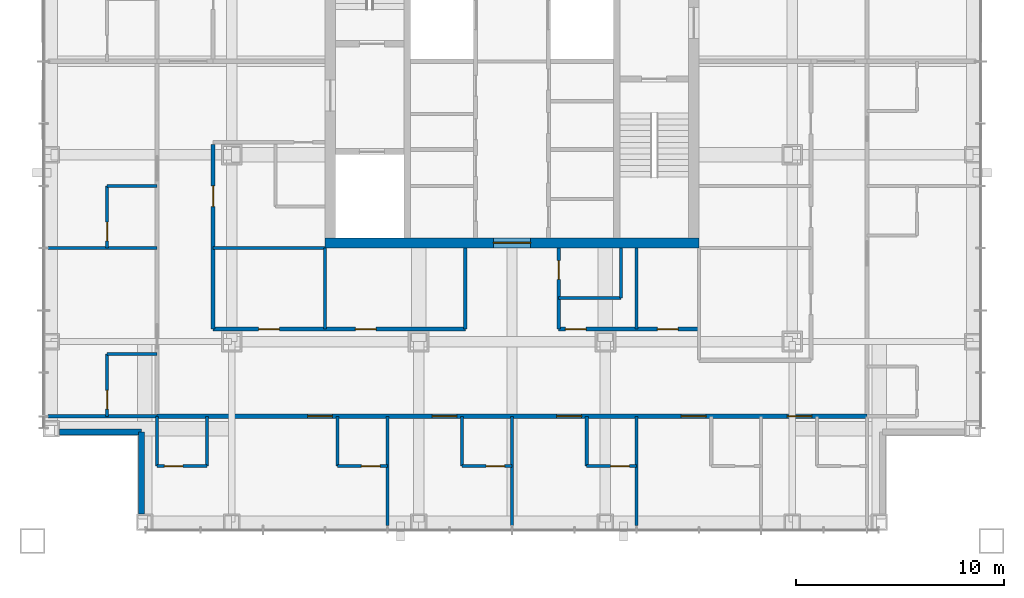
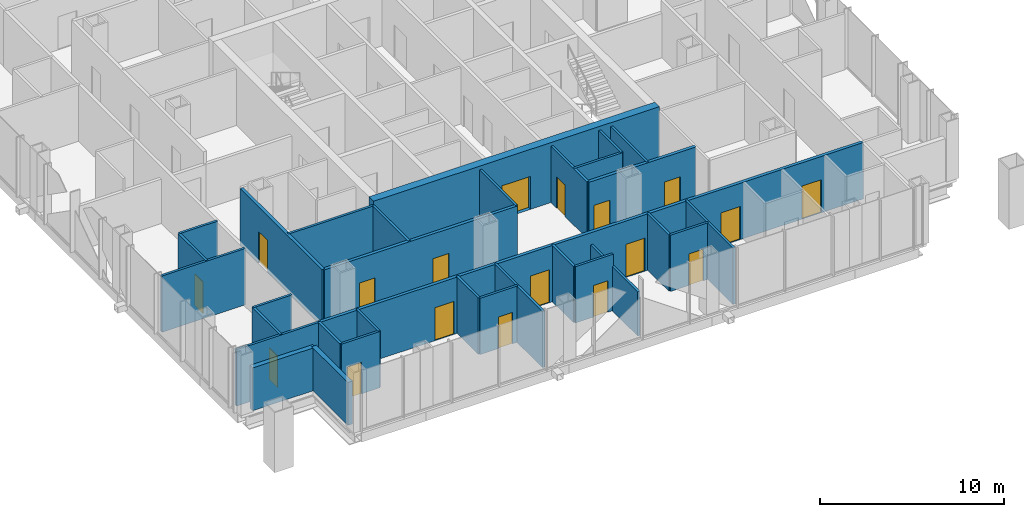
# One storey, part 12 of 17: 32 walls, 18 doors, 18 openings.
"""IFC4 building model written with IfcOpenShell, lengths in metres."""

from ifc_helpers import new_model, si_unit, direction, frame, frame_2d, origin, place, context, subcontext, project, spatial, rectangle, extrude, material, layer, layer_set, type_object, element, fill, save


model = new_model("IFC4")

# Units and contexts
model_context = context("Model", 3, precision=1e-05, world=origin(), true_north=direction((0.0, 1.0)))
body_context = subcontext(model_context, "Body", "Model", "MODEL_VIEW")
ifc_project = project(units=[si_unit("LENGTHUNIT", "METRE"), si_unit("AREAUNIT", "SQUARE_METRE"), si_unit("VOLUMEUNIT", "CUBIC_METRE"), si_unit("PLANEANGLEUNIT", "RADIAN"), si_unit("MASSUNIT", "GRAM", prefix="KILO")], contexts=[model_context])

# Site, building, storey
site_placement = place(None, origin())
site = spatial("IfcSite", under=ifc_project, at=site_placement, CompositionType="ELEMENT")
building_placement = place(site_placement, origin())
building = spatial("IfcBuilding", under=site, at=building_placement, Name="Malebo Sky Hospital", CompositionType="ELEMENT")
storey_placement = place(building_placement, frame((0.0, 0.0, 189.0)))
storey = spatial("IfcBuildingStorey", under=building, at=storey_placement, Name="L45", CompositionType="ELEMENT", Elevation=189.0)

# Wall, opening, door
ifc_material_1 = material(Name="Concrete C80/95", Category="concrete")
ifc_layer_1 = layer(ifc_material_1, 0.5)
ifc_layer_set_1 = layer_set([ifc_layer_1], Name="CORE WALL 500")
wall_type_1 = type_object("IfcWallType", Name="CORE WALL 500", PredefinedType="SHEAR", material=ifc_layer_set_1)
wall_1_placement = place(storey_placement, frame((51.0, 53.25, 0.0), z_axis=(0.0, 0.0, 1.0), x_axis=(1.0, 0.0, 0.0)))
wall_1 = element("IfcWall", 1, at=wall_1_placement, inside=storey, type_object=wall_type_1, Name="Core wall S L45", PredefinedType="SHEAR", context=body_context, shape_type="SweptSolid", body=[
    extrude(rectangle(XDim=18.0, YDim=0.5, at=frame_2d((9.0, 0.0))), origin(), (0.0, 0.0, 1.0), 4.0),
])
opening_1_placement = place(wall_1_placement, frame((8.10009765625, 0.0, 0.0)))
opening_1 = element("IfcOpeningElement", 2, at=opening_1_placement, cuts=wall_1, Name="Opening D06", PredefinedType="OPENING", context=body_context, shape_type="SweptSolid", body=[
    extrude(rectangle(XDim=1.800048828125, YDim=2.199951171875, at=frame_2d((0.89990234375, 1.10009765625))), frame((0.0, 0.260009765625, 0.0), z_axis=(0.0, -1.0, 0.0), x_axis=(1.0, 0.0, 0.0)), (0.0, 0.0, 1.0), 0.52001953125),
])
ifc_material_2 = material(Name="Hardwood-faced door leaf in steel frame", Category="steel")
door_type_1 = type_object("IfcDoorType", Name="LOBBY DOOR PAIR 1800", OperationType="DOUBLE_DOOR_SINGLE_SWING", PredefinedType="DOOR", material=ifc_material_2)
door_1_placement = place(opening_1_placement, origin())
door_1 = element("IfcDoor", 3, at=door_1_placement, inside=storey, type_object=door_type_1, Name="Service lobby door south", OperationType="DOUBLE_DOOR_SINGLE_SWING", OverallHeight=2.199951171875, OverallWidth=1.800048828125, PredefinedType="DOOR", context=body_context, shape_type="SweptSolid", body=[
    extrude(rectangle(XDim=1.800048828125, YDim=2.199951171875, at=frame_2d((0.89990234375, 1.10009765625))), frame((0.0, 0.02490234375, 0.0), z_axis=(0.0, -1.0, 0.0), x_axis=(1.0, 0.0, 0.0)), (0.0, 0.0, 1.0), 0.050048828125),
])
fill(opening_1, door_1)

ifc_material_3 = material(Name="Gypsum board on steel studs", Category="steel")
ifc_layer_2 = layer(ifc_material_3, 0.199951171875)
ifc_layer_set_2 = layer_set([ifc_layer_2], Name="CORRIDOR WALL 200")
wall_type_2 = type_object("IfcWallType", Name="CORRIDOR WALL 200", PredefinedType="PARTITIONING", material=ifc_layer_set_2)
wall_2_placement = place(storey_placement, frame((45.60009765625, 49.10009765625, 0.0), z_axis=(0.0, 0.0, 1.0), x_axis=(0.0, 1.0, 0.0)))
wall_2 = element("IfcWall", 4, at=wall_2_placement, inside=storey, type_object=wall_type_2, Name="Corridor Wall 200 WCI1", PredefinedType="PARTITIONING", context=body_context, shape_type="SweptSolid", body=[
    extrude(rectangle(XDim=8.89990234375, YDim=0.199951171875, at=frame_2d((4.449951171875, 0.0))), origin(), (0.0, 0.0, 1.0), 3.75),
])
opening_2_placement = place(wall_2_placement, frame((5.89990234375, 0.0, 0.0)))
opening_2 = element("IfcOpeningElement", 5, at=opening_2_placement, cuts=wall_2, Name="Opening D03", PredefinedType="OPENING", context=body_context, shape_type="SweptSolid", body=[
    extrude(rectangle(XDim=1.0, YDim=2.10009765625, at=frame_2d((0.5, 1.050048828125))), frame((0.0, 0.10986328125, 0.0), z_axis=(0.0, -1.0, 0.0), x_axis=(1.0, 0.0, 0.0)), (0.0, 0.0, 1.0), 0.219970703125),
])
door_type_2 = type_object("IfcDoorType", Name="ROOM DOOR 1000", OperationType="SINGLE_SWING_LEFT", PredefinedType="DOOR", material=ifc_material_2)
door_2_placement = place(opening_2_placement, origin())
door_2 = element("IfcDoor", 6, at=door_2_placement, inside=storey, type_object=door_type_2, Name="Dirty utility room door", OperationType="SINGLE_SWING_LEFT", OverallHeight=2.10009765625, OverallWidth=1.0, PredefinedType="DOOR", context=body_context, shape_type="SweptSolid", body=[
    extrude(rectangle(XDim=1.0, YDim=2.10009765625, at=frame_2d((0.5, 1.050048828125))), frame((0.0, 0.02490234375, 0.0), z_axis=(0.0, -1.0, 0.0), x_axis=(1.0, 0.0, 0.0)), (0.0, 0.0, 1.0), 0.050048828125),
])
fill(opening_2, door_2)

# Wall, openings, doors
wall_3_placement = place(storey_placement, frame((77.10009765625, 44.89990234375, 0.0), z_axis=(0.0, 0.0, 1.0), x_axis=(-1.0, 0.0, 0.0)))
wall_3 = element("IfcWall", 7, at=wall_3_placement, inside=storey, type_object=wall_type_2, Name="Corridor Wall 200 SCO", PredefinedType="PARTITIONING", context=body_context, shape_type="SweptSolid", body=[
    extrude(rectangle(XDim=34.2001953125, YDim=0.199951171875, at=frame_2d((17.10009765625, 0.0))), origin(), (0.0, 0.0, 1.0), 3.75),
])
opening_3_placement = place(wall_3_placement, frame((2.64990234375, 0.0, 0.0)))
opening_3 = element("IfcOpeningElement", 8, at=opening_3_placement, cuts=wall_3, Name="Opening D01", PredefinedType="OPENING", context=body_context, shape_type="SweptSolid", body=[
    extrude(rectangle(XDim=1.199951171875, YDim=2.199951171875, at=frame_2d((0.60009765625, 1.10009765625))), frame((0.0, 0.10986328125, 0.0), z_axis=(0.0, -1.0, 0.0), x_axis=(1.0, 0.0, 0.0)), (0.0, 0.0, 1.0), 0.219970703125),
])
opening_4_placement = place(wall_3_placement, frame((7.75, 0.0, 0.0)))
opening_4 = element("IfcOpeningElement", 9, at=opening_4_placement, cuts=wall_3, Name="Opening D01", PredefinedType="OPENING", context=body_context, shape_type="SweptSolid", body=[
    extrude(rectangle(XDim=1.199951171875, YDim=2.199951171875, at=frame_2d((0.60009765625, 1.10009765625))), frame((0.0, 0.10986328125, 0.0), z_axis=(0.0, -1.0, 0.0), x_axis=(1.0, 0.0, 0.0)), (0.0, 0.0, 1.0), 0.219970703125),
])
opening_5_placement = place(wall_3_placement, frame((13.75, 0.0, 0.0)))
opening_5 = element("IfcOpeningElement", 10, at=opening_5_placement, cuts=wall_3, Name="Opening D01", PredefinedType="OPENING", context=body_context, shape_type="SweptSolid", body=[
    extrude(rectangle(XDim=1.199951171875, YDim=2.199951171875, at=frame_2d((0.60009765625, 1.10009765625))), frame((0.0, 0.10986328125, 0.0), z_axis=(0.0, -1.0, 0.0), x_axis=(1.0, 0.0, 0.0)), (0.0, 0.0, 1.0), 0.219970703125),
])
opening_6_placement = place(wall_3_placement, frame((19.75, 0.0, 0.0)))
opening_6 = element("IfcOpeningElement", 11, at=opening_6_placement, cuts=wall_3, Name="Opening D01", PredefinedType="OPENING", context=body_context, shape_type="SweptSolid", body=[
    extrude(rectangle(XDim=1.199951171875, YDim=2.199951171875, at=frame_2d((0.60009765625, 1.10009765625))), frame((0.0, 0.10986328125, 0.0), z_axis=(0.0, -1.0, 0.0), x_axis=(1.0, 0.0, 0.0)), (0.0, 0.0, 1.0), 0.219970703125),
])
opening_7_placement = place(wall_3_placement, frame((25.75, 0.0, 0.0)))
opening_7 = element("IfcOpeningElement", 12, at=opening_7_placement, cuts=wall_3, Name="Opening D01", PredefinedType="OPENING", context=body_context, shape_type="SweptSolid", body=[
    extrude(rectangle(XDim=1.199951171875, YDim=2.199951171875, at=frame_2d((0.60009765625, 1.10009765625))), frame((0.0, 0.10986328125, 0.0), z_axis=(0.0, -1.0, 0.0), x_axis=(1.0, 0.0, 0.0)), (0.0, 0.0, 1.0), 0.219970703125),
])
door_type_3 = type_object("IfcDoorType", Name="BED DOOR 1200", OperationType="SINGLE_SWING_LEFT", PredefinedType="DOOR", material=ifc_material_2)
door_3_placement = place(opening_3_placement, origin())
door_3 = element("IfcDoor", 13, at=door_3_placement, inside=storey, type_object=door_type_3, Name="Single bed room door", OperationType="SINGLE_SWING_LEFT", OverallHeight=2.199951171875, OverallWidth=1.199951171875, PredefinedType="DOOR", context=body_context, shape_type="SweptSolid", body=[
    extrude(rectangle(XDim=1.199951171875, YDim=2.199951171875, at=frame_2d((0.60009765625, 1.10009765625))), frame((0.0, 0.02490234375, 0.0), z_axis=(0.0, -1.0, 0.0), x_axis=(1.0, 0.0, 0.0)), (0.0, 0.0, 1.0), 0.050048828125),
])
fill(opening_3, door_3)
door_4_placement = place(opening_4_placement, origin())
door_4 = element("IfcDoor", 14, at=door_4_placement, inside=storey, type_object=door_type_3, Name="Single bed room door", OperationType="SINGLE_SWING_LEFT", OverallHeight=2.199951171875, OverallWidth=1.199951171875, PredefinedType="DOOR", context=body_context, shape_type="SweptSolid", body=[
    extrude(rectangle(XDim=1.199951171875, YDim=2.199951171875, at=frame_2d((0.60009765625, 1.10009765625))), frame((0.0, 0.02490234375, 0.0), z_axis=(0.0, -1.0, 0.0), x_axis=(1.0, 0.0, 0.0)), (0.0, 0.0, 1.0), 0.050048828125),
])
fill(opening_4, door_4)
door_5_placement = place(opening_5_placement, origin())
door_5 = element("IfcDoor", 15, at=door_5_placement, inside=storey, type_object=door_type_3, Name="Single bed room door", OperationType="SINGLE_SWING_LEFT", OverallHeight=2.199951171875, OverallWidth=1.199951171875, PredefinedType="DOOR", context=body_context, shape_type="SweptSolid", body=[
    extrude(rectangle(XDim=1.199951171875, YDim=2.199951171875, at=frame_2d((0.60009765625, 1.10009765625))), frame((0.0, 0.02490234375, 0.0), z_axis=(0.0, -1.0, 0.0), x_axis=(1.0, 0.0, 0.0)), (0.0, 0.0, 1.0), 0.050048828125),
])
fill(opening_5, door_5)
door_6_placement = place(opening_6_placement, origin())
door_6 = element("IfcDoor", 16, at=door_6_placement, inside=storey, type_object=door_type_3, Name="Single bed room door", OperationType="SINGLE_SWING_LEFT", OverallHeight=2.199951171875, OverallWidth=1.199951171875, PredefinedType="DOOR", context=body_context, shape_type="SweptSolid", body=[
    extrude(rectangle(XDim=1.199951171875, YDim=2.199951171875, at=frame_2d((0.60009765625, 1.10009765625))), frame((0.0, 0.02490234375, 0.0), z_axis=(0.0, -1.0, 0.0), x_axis=(1.0, 0.0, 0.0)), (0.0, 0.0, 1.0), 0.050048828125),
])
fill(opening_6, door_6)
door_7_placement = place(opening_7_placement, origin())
door_7 = element("IfcDoor", 17, at=door_7_placement, inside=storey, type_object=door_type_3, Name="Four-bed bay door", OperationType="SINGLE_SWING_LEFT", OverallHeight=2.199951171875, OverallWidth=1.199951171875, PredefinedType="DOOR", context=body_context, shape_type="SweptSolid", body=[
    extrude(rectangle(XDim=1.199951171875, YDim=2.199951171875, at=frame_2d((0.60009765625, 1.10009765625))), frame((0.0, 0.02490234375, 0.0), z_axis=(0.0, -1.0, 0.0), x_axis=(1.0, 0.0, 0.0)), (0.0, 0.0, 1.0), 0.050048828125),
])
fill(opening_7, door_7)

wall_4_placement = place(storey_placement, frame((69.0, 49.10009765625, 0.0), z_axis=(0.0, 0.0, 1.0), x_axis=(-1.0, 0.0, 0.0)))
wall_4 = element("IfcWall", 18, at=wall_4_placement, inside=storey, type_object=wall_type_2, Name="Corridor Wall 200 SCI1", PredefinedType="PARTITIONING", context=body_context, shape_type="SweptSolid", body=[
    extrude(rectangle(XDim=6.75, YDim=0.199951171875, at=frame_2d((3.375, 0.0))), origin(), (0.0, 0.0, 1.0), 3.75),
])
opening_8_placement = place(wall_4_placement, frame((1.0, 0.0, 0.0)))
opening_8 = element("IfcOpeningElement", 19, at=opening_8_placement, cuts=wall_4, Name="Opening D03", PredefinedType="OPENING", context=body_context, shape_type="SweptSolid", body=[
    extrude(rectangle(XDim=1.0, YDim=2.10009765625, at=frame_2d((0.5, 1.050048828125))), frame((0.0, 0.10986328125, 0.0), z_axis=(0.0, -1.0, 0.0), x_axis=(1.0, 0.0, 0.0)), (0.0, 0.0, 1.0), 0.219970703125),
])
opening_9_placement = place(wall_4_placement, frame((5.425048828125, 0.0, 0.0)))
opening_9 = element("IfcOpeningElement", 20, at=opening_9_placement, cuts=wall_4, Name="Opening D03", PredefinedType="OPENING", context=body_context, shape_type="SweptSolid", body=[
    extrude(rectangle(XDim=1.0, YDim=2.10009765625, at=frame_2d((0.5, 1.050048828125))), frame((0.0, 0.10986328125, 0.0), z_axis=(0.0, -1.0, 0.0), x_axis=(1.0, 0.0, 0.0)), (0.0, 0.0, 1.0), 0.219970703125),
])
door_8_placement = place(opening_8_placement, origin())
door_8 = element("IfcDoor", 21, at=door_8_placement, inside=storey, type_object=door_type_2, Name="Equipment store door", OperationType="SINGLE_SWING_LEFT", OverallHeight=2.10009765625, OverallWidth=1.0, PredefinedType="DOOR", context=body_context, shape_type="SweptSolid", body=[
    extrude(rectangle(XDim=1.0, YDim=2.10009765625, at=frame_2d((0.5, 1.050048828125))), frame((0.0, 0.02490234375, 0.0), z_axis=(0.0, -1.0, 0.0), x_axis=(1.0, 0.0, 0.0)), (0.0, 0.0, 1.0), 0.050048828125),
])
fill(opening_8, door_8)
door_9_placement = place(opening_9_placement, origin())
door_9 = element("IfcDoor", 22, at=door_9_placement, inside=storey, type_object=door_type_2, Name="Linen store door", OperationType="SINGLE_SWING_RIGHT", OverallHeight=2.10009765625, OverallWidth=1.0, PredefinedType="DOOR", context=body_context, shape_type="SweptSolid", body=[
    extrude(rectangle(XDim=1.0, YDim=2.10009765625, at=frame_2d((0.5, 1.050048828125))), frame((0.0, 0.02490234375, 0.0), z_axis=(0.0, -1.0, 0.0), x_axis=(1.0, 0.0, 0.0)), (0.0, 0.0, 1.0), 0.050048828125),
])
fill(opening_9, door_9)

wall_5_placement = place(storey_placement, frame((57.75, 49.10009765625, 0.0), z_axis=(0.0, 0.0, 1.0), x_axis=(-1.0, 0.0, 0.0)))
wall_5 = element("IfcWall", 23, at=wall_5_placement, inside=storey, type_object=wall_type_2, Name="Corridor Wall 200 SCI2", PredefinedType="PARTITIONING", context=body_context, shape_type="SweptSolid", body=[
    extrude(rectangle(XDim=12.14990234375, YDim=0.199951171875, at=frame_2d((6.074951171875, 0.0))), origin(), (0.0, 0.0, 1.0), 3.75),
])
opening_10_placement = place(wall_5_placement, frame((4.300048828125, 0.0, 0.0)))
opening_10 = element("IfcOpeningElement", 24, at=opening_10_placement, cuts=wall_5, Name="Opening D03", PredefinedType="OPENING", context=body_context, shape_type="SweptSolid", body=[
    extrude(rectangle(XDim=1.0, YDim=2.10009765625, at=frame_2d((0.5, 1.050048828125))), frame((0.0, 0.10986328125, 0.0), z_axis=(0.0, -1.0, 0.0), x_axis=(1.0, 0.0, 0.0)), (0.0, 0.0, 1.0), 0.219970703125),
])
opening_11_placement = place(wall_5_placement, frame((8.949951171875, 0.0, 0.0)))
opening_11 = element("IfcOpeningElement", 25, at=opening_11_placement, cuts=wall_5, Name="Opening D03", PredefinedType="OPENING", context=body_context, shape_type="SweptSolid", body=[
    extrude(rectangle(XDim=1.0, YDim=2.10009765625, at=frame_2d((0.5, 1.050048828125))), frame((0.0, 0.10986328125, 0.0), z_axis=(0.0, -1.0, 0.0), x_axis=(1.0, 0.0, 0.0)), (0.0, 0.0, 1.0), 0.219970703125),
])
door_10_placement = place(opening_10_placement, origin())
door_10 = element("IfcDoor", 26, at=door_10_placement, inside=storey, type_object=door_type_2, Name="Nurse station door", OperationType="SINGLE_SWING_RIGHT", OverallHeight=2.10009765625, OverallWidth=1.0, PredefinedType="DOOR", context=body_context, shape_type="SweptSolid", body=[
    extrude(rectangle(XDim=1.0, YDim=2.10009765625, at=frame_2d((0.5, 1.050048828125))), frame((0.0, 0.02490234375, 0.0), z_axis=(0.0, -1.0, 0.0), x_axis=(1.0, 0.0, 0.0)), (0.0, 0.0, 1.0), 0.050048828125),
])
fill(opening_10, door_10)
door_11_placement = place(opening_11_placement, origin())
door_11 = element("IfcDoor", 27, at=door_11_placement, inside=storey, type_object=door_type_2, Name="Interview room door", OperationType="SINGLE_SWING_RIGHT", OverallHeight=2.10009765625, OverallWidth=1.0, PredefinedType="DOOR", context=body_context, shape_type="SweptSolid", body=[
    extrude(rectangle(XDim=1.0, YDim=2.10009765625, at=frame_2d((0.5, 1.050048828125))), frame((0.0, 0.02490234375, 0.0), z_axis=(0.0, -1.0, 0.0), x_axis=(1.0, 0.0, 0.0)), (0.0, 0.0, 1.0), 0.050048828125),
])
fill(opening_11, door_11)

# Walls
ifc_material_4 = material(Name="Anodised aluminium rainscreen on steel framing", Category="steel")
ifc_layer_3 = layer(ifc_material_4, 0.300048828125)
ifc_layer_set_3 = layer_set([ifc_layer_3], Name="NOTCH RAINSCREEN WALL 300")
wall_type_3 = type_object("IfcWallType", Name="NOTCH RAINSCREEN WALL 300", PredefinedType="ELEMENTEDWALL", material=ifc_layer_set_3)
for number, where, z_axis, x_axis, name in (
    (28, (42.14990234375, 40.199951171875, 0.0), (0.0, 0.0, 1.0), (0.0, 1.0, 0.0), "Notch rainscreen wall S1 L45"),
    (29, (42.14990234375, 44.14990234375, 0.0), (0.0, 0.0, 1.0), (-1.0, 0.0, 0.0), "Notch rainscreen wall S2 L45"),
):
    element("IfcWall", number, at=place(storey_placement, frame(where, z_axis=z_axis, x_axis=x_axis)), inside=storey, type_object=wall_type_3, Name=name, PredefinedType="ELEMENTEDWALL", context=body_context, shape_type="SweptSolid", body=[
        extrude(rectangle(XDim=3.949951171875, YDim=0.300048828125, at=frame_2d((1.97509765625, 0.0))), origin(), (0.0, 0.0, 1.0), 2.85009765625),
    ])
ifc_layer_4 = layer(ifc_material_3, 0.14990234375)
ifc_layer_set_4 = layer_set([ifc_layer_4], Name="PARTITION 150")
wall_type_4 = type_object("IfcWallType", Name="PARTITION 150", PredefinedType="PARTITIONING", material=ifc_layer_set_4)
for number, where, z_axis, x_axis, name in (
    (30, (42.89990234375, 53.0, 0.0), (0.0, 0.0, 1.0), (-1.0, 0.0, 0.0), "Partition 150 WP-9.0"),
    (31, (42.89990234375, 44.89990234375, 0.0), (0.0, 0.0, 1.0), (-1.0, 0.0, 0.0), "Partition 150 WP0"),
):
    element("IfcWall", number, at=place(storey_placement, frame(where, z_axis=z_axis, x_axis=x_axis)), inside=storey, type_object=wall_type_4, Name=name, PredefinedType="PARTITIONING", context=body_context, shape_type="SweptSolid", body=[
        extrude(rectangle(XDim=5.25, YDim=0.14990234375, at=frame_2d((2.625, 0.0))), origin(), (0.0, 0.0, 1.0), 3.75),
    ])

# Wall, opening, door
wall_6_placement = place(storey_placement, frame((40.5, 44.89990234375, 0.0), z_axis=(0.0, 0.0, 1.0), x_axis=(0.0, 1.0, 0.0)))
wall_6 = element("IfcWall", 32, at=wall_6_placement, inside=storey, type_object=wall_type_4, Name="Partition 150 WE0F", PredefinedType="PARTITIONING", context=body_context, shape_type="SweptSolid", body=[
    extrude(rectangle(XDim=3.0, YDim=0.14990234375, at=frame_2d((1.5, 0.0))), origin(), (0.0, 0.0, 1.0), 3.75),
])
opening_12_placement = place(wall_6_placement, frame((0.35009765625, 0.0, 0.0)))
opening_12 = element("IfcOpeningElement", 33, at=opening_12_placement, cuts=wall_6, Name="Opening D02", PredefinedType="OPENING", context=body_context, shape_type="SweptSolid", body=[
    extrude(rectangle(XDim=0.89990234375, YDim=2.10009765625, at=frame_2d((0.449951171875, 1.050048828125))), frame((0.0, 0.0849609375, 0.0), z_axis=(0.0, -1.0, 0.0), x_axis=(1.0, 0.0, 0.0)), (0.0, 0.0, 1.0), 0.169921875),
])
door_type_4 = type_object("IfcDoorType", Name="EN-SUITE DOOR 900", OperationType="SINGLE_SWING_LEFT", PredefinedType="DOOR", material=ifc_material_2)
door_12_placement = place(opening_12_placement, origin())
door_12 = element("IfcDoor", 34, at=door_12_placement, inside=storey, type_object=door_type_4, Name="En-suite door", OperationType="SINGLE_SWING_LEFT", OverallHeight=2.10009765625, OverallWidth=0.89990234375, PredefinedType="DOOR", context=body_context, shape_type="SweptSolid", body=[
    extrude(rectangle(XDim=0.89990234375, YDim=2.10009765625, at=frame_2d((0.449951171875, 1.050048828125))), frame((0.0, 0.02490234375, 0.0), z_axis=(0.0, -1.0, 0.0), x_axis=(1.0, 0.0, 0.0)), (0.0, 0.0, 1.0), 0.050048828125),
])
fill(opening_12, door_12)

# Wall
wall_7_placement = place(storey_placement, frame((42.89990234375, 47.89990234375, 0.0), z_axis=(0.0, 0.0, 1.0), x_axis=(-1.0, 0.0, 0.0)))
element("IfcWall", 35, at=wall_7_placement, inside=storey, type_object=wall_type_4, Name="Partition 150 WE0S", PredefinedType="PARTITIONING", context=body_context, shape_type="SweptSolid", body=[
    extrude(rectangle(XDim=2.39990234375, YDim=0.14990234375, at=frame_2d((1.199951171875, 0.0))), origin(), (0.0, 0.0, 1.0), 3.75),
])

# Wall, opening, door
wall_8_placement = place(storey_placement, frame((40.5, 53.0, 0.0), z_axis=(0.0, 0.0, 1.0), x_axis=(0.0, 1.0, 0.0)))
wall_8 = element("IfcWall", 36, at=wall_8_placement, inside=storey, type_object=wall_type_4, Name="Partition 150 WE1F", PredefinedType="PARTITIONING", context=body_context, shape_type="SweptSolid", body=[
    extrude(rectangle(XDim=3.0, YDim=0.14990234375, at=frame_2d((1.5, 0.0))), origin(), (0.0, 0.0, 1.0), 3.75),
])
opening_13_placement = place(wall_8_placement, frame((0.35009765625, 0.0, 0.0)))
opening_13 = element("IfcOpeningElement", 37, at=opening_13_placement, cuts=wall_8, Name="Opening D02", PredefinedType="OPENING", context=body_context, shape_type="SweptSolid", body=[
    extrude(rectangle(XDim=0.89990234375, YDim=2.10009765625, at=frame_2d((0.449951171875, 1.050048828125))), frame((0.0, 0.0849609375, 0.0), z_axis=(0.0, -1.0, 0.0), x_axis=(1.0, 0.0, 0.0)), (0.0, 0.0, 1.0), 0.169921875),
])
door_13_placement = place(opening_13_placement, origin())
door_13 = element("IfcDoor", 38, at=door_13_placement, inside=storey, type_object=door_type_4, Name="En-suite door", OperationType="SINGLE_SWING_LEFT", OverallHeight=2.10009765625, OverallWidth=0.89990234375, PredefinedType="DOOR", context=body_context, shape_type="SweptSolid", body=[
    extrude(rectangle(XDim=0.89990234375, YDim=2.10009765625, at=frame_2d((0.449951171875, 1.050048828125))), frame((0.0, 0.02490234375, 0.0), z_axis=(0.0, -1.0, 0.0), x_axis=(1.0, 0.0, 0.0)), (0.0, 0.0, 1.0), 0.050048828125),
])
fill(opening_13, door_13)

# Walls
wall_9_placement = place(storey_placement, frame((42.89990234375, 56.0, 0.0), z_axis=(0.0, 0.0, 1.0), x_axis=(-1.0, 0.0, 0.0)))
element("IfcWall", 39, at=wall_9_placement, inside=storey, type_object=wall_type_4, Name="Partition 150 WE1S", PredefinedType="PARTITIONING", context=body_context, shape_type="SweptSolid", body=[
    extrude(rectangle(XDim=2.39990234375, YDim=0.14990234375, at=frame_2d((1.199951171875, 0.0))), origin(), (0.0, 0.0, 1.0), 3.75),
])
wall_10_placement = place(storey_placement, frame((51.0, 53.0, 0.0), z_axis=(0.0, 0.0, 1.0), x_axis=(-1.0, 0.0, 0.0)))
element("IfcWall", 40, at=wall_10_placement, inside=storey, type_object=wall_type_4, Name="Partition 150 WSP0", PredefinedType="PARTITIONING", context=body_context, shape_type="SweptSolid", body=[
    extrude(rectangle(XDim=5.39990234375, YDim=0.14990234375, at=frame_2d((2.699951171875, 0.0))), origin(), (0.0, 0.0, 1.0), 3.75),
])
wall_11_placement = place(storey_placement, frame((66.0, 44.89990234375, 0.0), z_axis=(0.0, 0.0, 1.0), x_axis=(0.0, -1.0, 0.0)))
element("IfcWall", 41, at=wall_11_placement, inside=storey, type_object=wall_type_4, Name="Partition 150 SP-6.0", PredefinedType="PARTITIONING", context=body_context, shape_type="SweptSolid", body=[
    extrude(rectangle(XDim=5.25, YDim=0.14990234375, at=frame_2d((2.625, 0.0))), origin(), (0.0, 0.0, 1.0), 3.75),
])
wall_12_placement = place(storey_placement, frame((60.0, 44.89990234375, 0.0), z_axis=(0.0, 0.0, 1.0), x_axis=(0.0, -1.0, 0.0)))
element("IfcWall", 42, at=wall_12_placement, inside=storey, type_object=wall_type_4, Name="Partition 150 SP+0.0", PredefinedType="PARTITIONING", context=body_context, shape_type="SweptSolid", body=[
    extrude(rectangle(XDim=5.25, YDim=0.14990234375, at=frame_2d((2.625, 0.0))), origin(), (0.0, 0.0, 1.0), 2.949951171875),
])
wall_13_placement = place(storey_placement, frame((54.0, 44.89990234375, 0.0), z_axis=(0.0, 0.0, 1.0), x_axis=(0.0, -1.0, 0.0)))
element("IfcWall", 43, at=wall_13_placement, inside=storey, type_object=wall_type_4, Name="Partition 150 SP+6.0", PredefinedType="PARTITIONING", context=body_context, shape_type="SweptSolid", body=[
    extrude(rectangle(XDim=5.25, YDim=0.14990234375, at=frame_2d((2.625, 0.0))), origin(), (0.0, 0.0, 1.0), 3.75),
])

# Wall, opening, door
wall_14_placement = place(storey_placement, frame((66.0, 42.5, 0.0), z_axis=(0.0, 0.0, 1.0), x_axis=(-1.0, 0.0, 0.0)))
wall_14 = element("IfcWall", 44, at=wall_14_placement, inside=storey, type_object=wall_type_4, Name="Partition 150 SE2F", PredefinedType="PARTITIONING", context=body_context, shape_type="SweptSolid", body=[
    extrude(rectangle(XDim=2.39990234375, YDim=0.14990234375, at=frame_2d((1.199951171875, 0.0))), origin(), (0.0, 0.0, 1.0), 3.75),
])
opening_14_placement = place(wall_14_placement, frame((0.35009765625, 0.0, 0.0)))
opening_14 = element("IfcOpeningElement", 45, at=opening_14_placement, cuts=wall_14, Name="Opening D02", PredefinedType="OPENING", context=body_context, shape_type="SweptSolid", body=[
    extrude(rectangle(XDim=0.89990234375, YDim=2.10009765625, at=frame_2d((0.449951171875, 1.050048828125))), frame((0.0, 0.0849609375, 0.0), z_axis=(0.0, -1.0, 0.0), x_axis=(1.0, 0.0, 0.0)), (0.0, 0.0, 1.0), 0.169921875),
])
door_14_placement = place(opening_14_placement, origin())
door_14 = element("IfcDoor", 46, at=door_14_placement, inside=storey, type_object=door_type_4, Name="En-suite door", OperationType="SINGLE_SWING_LEFT", OverallHeight=2.10009765625, OverallWidth=0.89990234375, PredefinedType="DOOR", context=body_context, shape_type="SweptSolid", body=[
    extrude(rectangle(XDim=0.89990234375, YDim=2.10009765625, at=frame_2d((0.449951171875, 1.050048828125))), frame((0.0, 0.02490234375, 0.0), z_axis=(0.0, -1.0, 0.0), x_axis=(1.0, 0.0, 0.0)), (0.0, 0.0, 1.0), 0.050048828125),
])
fill(opening_14, door_14)

# Wall
wall_15_placement = place(storey_placement, frame((63.60009765625, 44.89990234375, 0.0), z_axis=(0.0, 0.0, 1.0), x_axis=(0.0, -1.0, 0.0)))
element("IfcWall", 47, at=wall_15_placement, inside=storey, type_object=wall_type_4, Name="Partition 150 SE2S", PredefinedType="PARTITIONING", context=body_context, shape_type="SweptSolid", body=[
    extrude(rectangle(XDim=2.39990234375, YDim=0.14990234375, at=frame_2d((1.199951171875, 0.0))), origin(), (0.0, 0.0, 1.0), 3.75),
])

# Wall, opening, door
wall_16_placement = place(storey_placement, frame((60.0, 42.5, 0.0), z_axis=(0.0, 0.0, 1.0), x_axis=(-1.0, 0.0, 0.0)))
wall_16 = element("IfcWall", 48, at=wall_16_placement, inside=storey, type_object=wall_type_4, Name="Partition 150 SE3F", PredefinedType="PARTITIONING", context=body_context, shape_type="SweptSolid", body=[
    extrude(rectangle(XDim=2.39990234375, YDim=0.14990234375, at=frame_2d((1.199951171875, 0.0))), origin(), (0.0, 0.0, 1.0), 3.75),
])
opening_15_placement = place(wall_16_placement, frame((0.35009765625, 0.0, 0.0)))
opening_15 = element("IfcOpeningElement", 49, at=opening_15_placement, cuts=wall_16, Name="Opening D02", PredefinedType="OPENING", context=body_context, shape_type="SweptSolid", body=[
    extrude(rectangle(XDim=0.89990234375, YDim=2.10009765625, at=frame_2d((0.449951171875, 1.050048828125))), frame((0.0, 0.0849609375, 0.0), z_axis=(0.0, -1.0, 0.0), x_axis=(1.0, 0.0, 0.0)), (0.0, 0.0, 1.0), 0.169921875),
])
door_15_placement = place(opening_15_placement, origin())
door_15 = element("IfcDoor", 50, at=door_15_placement, inside=storey, type_object=door_type_4, Name="En-suite door", OperationType="SINGLE_SWING_LEFT", OverallHeight=2.10009765625, OverallWidth=0.89990234375, PredefinedType="DOOR", context=body_context, shape_type="SweptSolid", body=[
    extrude(rectangle(XDim=0.89990234375, YDim=2.10009765625, at=frame_2d((0.449951171875, 1.050048828125))), frame((0.0, 0.02490234375, 0.0), z_axis=(0.0, -1.0, 0.0), x_axis=(1.0, 0.0, 0.0)), (0.0, 0.0, 1.0), 0.050048828125),
])
fill(opening_15, door_15)

# Wall
wall_17_placement = place(storey_placement, frame((57.60009765625, 44.89990234375, 0.0), z_axis=(0.0, 0.0, 1.0), x_axis=(0.0, -1.0, 0.0)))
element("IfcWall", 51, at=wall_17_placement, inside=storey, type_object=wall_type_4, Name="Partition 150 SE3S", PredefinedType="PARTITIONING", context=body_context, shape_type="SweptSolid", body=[
    extrude(rectangle(XDim=2.39990234375, YDim=0.14990234375, at=frame_2d((1.199951171875, 0.0))), origin(), (0.0, 0.0, 1.0), 3.75),
])

# Wall, opening, door
wall_18_placement = place(storey_placement, frame((54.0, 42.5, 0.0), z_axis=(0.0, 0.0, 1.0), x_axis=(-1.0, 0.0, 0.0)))
wall_18 = element("IfcWall", 52, at=wall_18_placement, inside=storey, type_object=wall_type_4, Name="Partition 150 SE4F", PredefinedType="PARTITIONING", context=body_context, shape_type="SweptSolid", body=[
    extrude(rectangle(XDim=2.39990234375, YDim=0.14990234375, at=frame_2d((1.199951171875, 0.0))), origin(), (0.0, 0.0, 1.0), 3.75),
])
opening_16_placement = place(wall_18_placement, frame((0.35009765625, 0.0, 0.0)))
opening_16 = element("IfcOpeningElement", 53, at=opening_16_placement, cuts=wall_18, Name="Opening D02", PredefinedType="OPENING", context=body_context, shape_type="SweptSolid", body=[
    extrude(rectangle(XDim=0.89990234375, YDim=2.10009765625, at=frame_2d((0.449951171875, 1.050048828125))), frame((0.0, 0.0849609375, 0.0), z_axis=(0.0, -1.0, 0.0), x_axis=(1.0, 0.0, 0.0)), (0.0, 0.0, 1.0), 0.169921875),
])
door_16_placement = place(opening_16_placement, origin())
door_16 = element("IfcDoor", 54, at=door_16_placement, inside=storey, type_object=door_type_4, Name="En-suite door", OperationType="SINGLE_SWING_LEFT", OverallHeight=2.10009765625, OverallWidth=0.89990234375, PredefinedType="DOOR", context=body_context, shape_type="SweptSolid", body=[
    extrude(rectangle(XDim=0.89990234375, YDim=2.10009765625, at=frame_2d((0.449951171875, 1.050048828125))), frame((0.0, 0.02490234375, 0.0), z_axis=(0.0, -1.0, 0.0), x_axis=(1.0, 0.0, 0.0)), (0.0, 0.0, 1.0), 0.050048828125),
])
fill(opening_16, door_16)

# Wall
wall_19_placement = place(storey_placement, frame((51.60009765625, 44.89990234375, 0.0), z_axis=(0.0, 0.0, 1.0), x_axis=(0.0, -1.0, 0.0)))
element("IfcWall", 55, at=wall_19_placement, inside=storey, type_object=wall_type_4, Name="Partition 150 SE4S", PredefinedType="PARTITIONING", context=body_context, shape_type="SweptSolid", body=[
    extrude(rectangle(XDim=2.39990234375, YDim=0.14990234375, at=frame_2d((1.199951171875, 0.0))), origin(), (0.0, 0.0, 1.0), 3.75),
])

# Wall, opening, door
wall_20_placement = place(storey_placement, frame((45.300048828125, 42.5, 0.0), z_axis=(0.0, 0.0, 1.0), x_axis=(-1.0, 0.0, 0.0)))
wall_20 = element("IfcWall", 56, at=wall_20_placement, inside=storey, type_object=wall_type_4, Name="Partition 150 SG4F", PredefinedType="PARTITIONING", context=body_context, shape_type="SweptSolid", body=[
    extrude(rectangle(XDim=2.400146484375, YDim=0.14990234375, at=frame_2d((1.2001953125, 0.0))), origin(), (0.0, 0.0, 1.0), 3.75),
])
opening_17_placement = place(wall_20_placement, frame((1.14990234375, 0.0, 0.0)))
opening_17 = element("IfcOpeningElement", 57, at=opening_17_placement, cuts=wall_20, Name="Opening D02", PredefinedType="OPENING", context=body_context, shape_type="SweptSolid", body=[
    extrude(rectangle(XDim=0.89990234375, YDim=2.10009765625, at=frame_2d((0.449951171875, 1.050048828125))), frame((0.0, 0.0849609375, 0.0), z_axis=(0.0, -1.0, 0.0), x_axis=(1.0, 0.0, 0.0)), (0.0, 0.0, 1.0), 0.169921875),
])
door_17_placement = place(opening_17_placement, origin())
door_17 = element("IfcDoor", 58, at=door_17_placement, inside=storey, type_object=door_type_4, Name="En-suite door", OperationType="SINGLE_SWING_RIGHT", OverallHeight=2.10009765625, OverallWidth=0.89990234375, PredefinedType="DOOR", context=body_context, shape_type="SweptSolid", body=[
    extrude(rectangle(XDim=0.89990234375, YDim=2.10009765625, at=frame_2d((0.449951171875, 1.050048828125))), frame((0.0, 0.02490234375, 0.0), z_axis=(0.0, -1.0, 0.0), x_axis=(1.0, 0.0, 0.0)), (0.0, 0.0, 1.0), 0.050048828125),
])
fill(opening_17, door_17)

# Walls
for number, where, z_axis, x_axis, name in (
    (59, (45.300048828125, 44.89990234375, 0.0), (0.0, 0.0, 1.0), (0.0, -1.0, 0.0), "Partition 150 SG4S"),
    (60, (42.89990234375, 44.89990234375, 0.0), (0.0, 0.0, 1.0), (0.0, -1.0, 0.0), "Partition 150 SEZ"),
):
    element("IfcWall", number, at=place(storey_placement, frame(where, z_axis=z_axis, x_axis=x_axis)), inside=storey, type_object=wall_type_4, Name=name, PredefinedType="PARTITIONING", context=body_context, shape_type="SweptSolid", body=[
        extrude(rectangle(XDim=2.39990234375, YDim=0.14990234375, at=frame_2d((1.199951171875, 0.0))), origin(), (0.0, 0.0, 1.0), 3.75),
    ])

# Wall, opening, door
wall_21_placement = place(storey_placement, frame((62.25, 53.0, 0.0), z_axis=(0.0, 0.0, 1.0), x_axis=(0.0, -1.0, 0.0)))
wall_21 = element("IfcWall", 61, at=wall_21_placement, inside=storey, type_object=wall_type_4, Name="Partition 150 SSPA", PredefinedType="PARTITIONING", context=body_context, shape_type="SweptSolid", body=[
    extrude(rectangle(XDim=3.89990234375, YDim=0.14990234375, at=frame_2d((1.949951171875, 0.0))), origin(), (0.0, 0.0, 1.0), 3.75),
])
opening_18_placement = place(wall_21_placement, frame((0.60009765625, 0.0, 0.0)))
opening_18 = element("IfcOpeningElement", 62, at=opening_18_placement, cuts=wall_21, Name="Opening D04", PredefinedType="OPENING", context=body_context, shape_type="SweptSolid", body=[
    extrude(rectangle(XDim=0.89990234375, YDim=2.10009765625, at=frame_2d((0.449951171875, 1.050048828125))), frame((0.0, 0.0849609375, 0.0), z_axis=(0.0, -1.0, 0.0), x_axis=(1.0, 0.0, 0.0)), (0.0, 0.0, 1.0), 0.169921875),
])
door_type_5 = type_object("IfcDoorType", Name="ROOM DOOR 900", OperationType="SINGLE_SWING_LEFT", PredefinedType="DOOR", material=ifc_material_2)
door_18_placement = place(opening_18_placement, origin())
door_18 = element("IfcDoor", 63, at=door_18_placement, inside=storey, type_object=door_type_5, Name="Visitor WC door", OperationType="SINGLE_SWING_LEFT", OverallHeight=2.10009765625, OverallWidth=0.89990234375, PredefinedType="DOOR", context=body_context, shape_type="SweptSolid", body=[
    extrude(rectangle(XDim=0.89990234375, YDim=2.10009765625, at=frame_2d((0.449951171875, 1.050048828125))), frame((0.0, 0.02490234375, 0.0), z_axis=(0.0, -1.0, 0.0), x_axis=(1.0, 0.0, 0.0)), (0.0, 0.0, 1.0), 0.050048828125),
])
fill(opening_18, door_18)

# Walls
for number, where, z_axis, x_axis, name in (
    (64, (57.75, 53.0, 0.0), (0.0, 0.0, 1.0), (0.0, -1.0, 0.0), "Partition 150 SSPB"),
    (65, (66.0, 53.0, 0.0), (0.0, 0.0, 1.0), (0.0, -1.0, 0.0), "Partition 150 SSP-6.0"),
    (66, (51.0, 53.0, 0.0), (0.0, 0.0, 1.0), (0.0, -1.0, 0.0), "Partition 150 SSP+9.0"),
):
    element("IfcWall", number, at=place(storey_placement, frame(where, z_axis=z_axis, x_axis=x_axis)), inside=storey, type_object=wall_type_4, Name=name, PredefinedType="PARTITIONING", context=body_context, shape_type="SweptSolid", body=[
        extrude(rectangle(XDim=3.89990234375, YDim=0.14990234375, at=frame_2d((1.949951171875, 0.0))), origin(), (0.0, 0.0, 1.0), 3.75),
    ])
wall_22_placement = place(storey_placement, frame((65.25, 50.60009765625, 0.0), z_axis=(0.0, 0.0, 1.0), x_axis=(-1.0, 0.0, 0.0)))
element("IfcWall", 67, at=wall_22_placement, inside=storey, type_object=wall_type_4, Name="Partition 150 SSX1", PredefinedType="PARTITIONING", context=body_context, shape_type="SweptSolid", body=[
    extrude(rectangle(XDim=3.0, YDim=0.14990234375, at=frame_2d((1.5, 0.0))), origin(), (0.0, 0.0, 1.0), 3.75),
])
wall_23_placement = place(storey_placement, frame((65.25, 53.0, 0.0), z_axis=(0.0, 0.0, 1.0), x_axis=(0.0, -1.0, 0.0)))
element("IfcWall", 68, at=wall_23_placement, inside=storey, type_object=wall_type_4, Name="Partition 150 SSY1", PredefinedType="PARTITIONING", context=body_context, shape_type="SweptSolid", body=[
    extrude(rectangle(XDim=2.39990234375, YDim=0.14990234375, at=frame_2d((1.199951171875, 0.0))), origin(), (0.0, 0.0, 1.0), 3.75),
])

save(model, "model.ifc")
